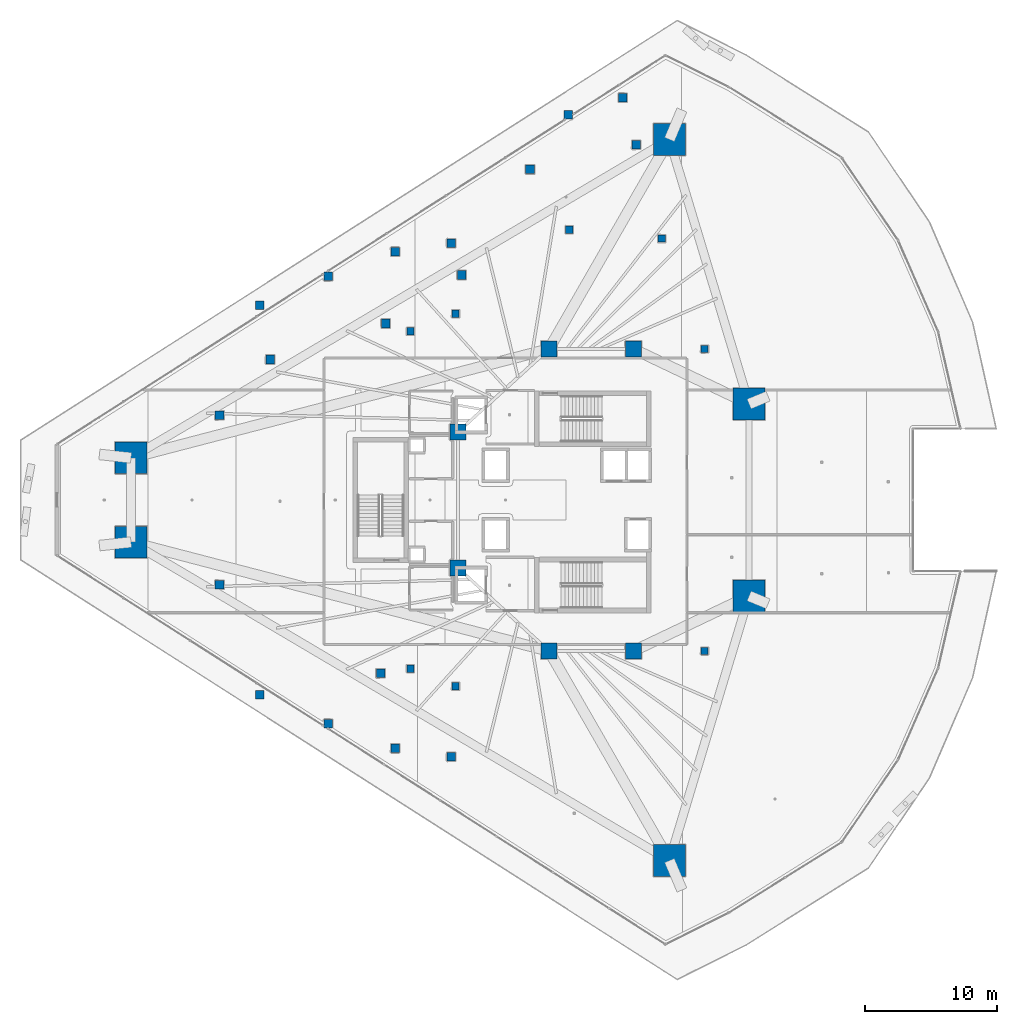
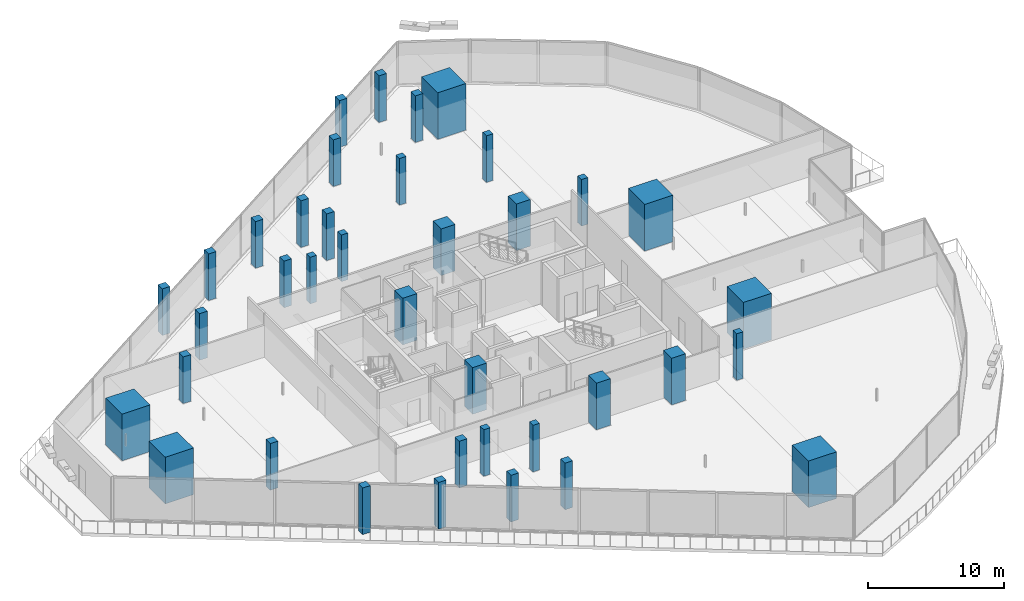
# One storey, part 1 of 42: 38 columns.
"""IFC4 building model written with IfcOpenShell, lengths in metres."""

import ifcopenshell
import ifcopenshell.guid

model = None  # the IFC model being written
_history = None  # IfcOwnerHistory: only IFC2X3 demands one
_inside = {}  # id of a spatial element -> (the spatial element, [elements in it])
_under = {}  # id of a project, library or spatial element -> (it, [spatial elements below it])
_declared = {}  # id of a project -> (the project, [libraries it declares])
_typed = {}  # id of a type object -> (the type object, [elements of that type])
_made_of = {}  # id of a material, layer set ... -> (it, [elements and type objects made of it])


def new_model(schema):
    """Start an empty IFC model of exactly this schema.

    Asked for "IFC4X3", IfcOpenShell would pick the latest addendum, in which some entities
    have other attributes; the version numbers below select the first issue.
    IFC2X3 requires an IfcOwnerHistory on every rooted entity: one is made here for all.
    """
    global model, _history
    if schema == "IFC4X3":
        model = ifcopenshell.file(schema_version=(4, 3, 0, 0))
    else:
        model = ifcopenshell.file(schema=schema)
    _inside.clear()
    _under.clear()
    _declared.clear()
    _typed.clear()
    _made_of.clear()
    _history = None
    if model.schema == "IFC2X3":
        org = make("IfcOrganization", Name="unknown")
        user = make(
            "IfcPersonAndOrganization",
            ThePerson=make("IfcPerson", FamilyName="unknown"),
            TheOrganization=org,
        )
        app = make(
            "IfcApplication",
            ApplicationDeveloper=org,
            Version="unknown",
            ApplicationFullName="unknown",
            ApplicationIdentifier="unknown",
        )
        _history = make(
            "IfcOwnerHistory",
            OwningUser=user,
            OwningApplication=app,
            ChangeAction="ADDED",
            CreationDate=0,
        )
    return model


def make(cls, **values):
    """One entity of the class cls with the attributes given. An attribute that is None is left unset."""
    return model.create_entity(
        cls, **{name: value for name, value in values.items() if value is not None}
    )


def rooted(cls, **values):
    """An entity with a GlobalId (a new one), such as an element, a storey or a relation."""
    return make(cls, GlobalId=ifcopenshell.guid.new(), OwnerHistory=_history, **values)


def si_unit(unit_type, name, prefix=None):
    """IfcSIUnit, for example si_unit("LENGTHUNIT", "METRE", prefix="MILLI")."""
    return make("IfcSIUnit", UnitType=unit_type, Prefix=prefix, Name=name)


def assignment(units):
    """IfcUnitAssignment: the units of a project."""
    return None if units is None else make("IfcUnitAssignment", Units=units)


def point(xyz):
    """IfcCartesianPoint."""
    return None if xyz is None else make("IfcCartesianPoint", Coordinates=xyz)


def direction(xyz):
    """IfcDirection."""
    return None if xyz is None else make("IfcDirection", DirectionRatios=xyz)


def frame(location, z_axis=None, x_axis=None):
    """IfcAxis2Placement3D, a coordinate frame: its origin and axes. An axis left out is left unset."""
    return make(
        "IfcAxis2Placement3D",
        Location=point(location),
        Axis=direction(z_axis),
        RefDirection=direction(x_axis),
    )


def frame_2d(location, x_axis=None):
    """IfcAxis2Placement2D, a coordinate frame in the plane: its origin and x axis."""
    return make(
        "IfcAxis2Placement2D", Location=point(location), RefDirection=direction(x_axis)
    )


def origin():
    """The frame at (0, 0, 0) with its axes left unset."""
    return frame((0.0, 0.0, 0.0))


def origin_2d():
    """The frame at (0, 0) in the plane with its x axis left unset."""
    return frame_2d((0.0, 0.0))


def place(relative_to, where):
    """IfcLocalPlacement: puts the frame where relative to a parent placement (None: the world)."""
    return make(
        "IfcLocalPlacement", PlacementRelTo=relative_to, RelativePlacement=where
    )


def context(
    kind, dimensions, precision=None, world=None, true_north=None, identifier=None
):
    """IfcGeometricRepresentationContext, for example the 3D "Model" context."""
    return make(
        "IfcGeometricRepresentationContext",
        ContextIdentifier=identifier,
        ContextType=kind,
        CoordinateSpaceDimension=dimensions,
        Precision=precision,
        WorldCoordinateSystem=world,
        TrueNorth=true_north,
    )


def subcontext(parent, identifier, kind, view, scale=None):
    """IfcGeometricRepresentationSubContext, for example "Body" below "Model"."""
    return make(
        "IfcGeometricRepresentationSubContext",
        ContextIdentifier=identifier,
        ContextType=kind,
        ParentContext=parent,
        TargetScale=scale,
        TargetView=view,
    )


def project(units=None, contexts=None):
    """IfcProject with its units and contexts."""
    return rooted(
        "IfcProject",
        Name="project",
        RepresentationContexts=contexts,
        UnitsInContext=assignment(units),
    )


def spatial(cls, under=None, at=None, **own):
    """A site, building, storey or space (cls), placed at a placement, below another one or the project."""
    s = rooted(cls, ObjectPlacement=at, **own)
    if under is not None:
        _under.setdefault(under.id(), (under, []))[1].append(s)
    return s


def profile(cls, at=None, kind="AREA", **sizes):
    """A parametric profile (cls). Its sizes go by their IFC names, for example OverallWidth=200.0."""
    return make(cls, ProfileType=kind, Position=at, **sizes)


def rectangle(**sizes):
    """IfcRectangleProfileDef."""
    return profile("IfcRectangleProfileDef", **sizes)


def extrude(swept, where, along, depth):
    """IfcExtrudedAreaSolid: the profile swept, set in the frame where, extruded along a direction by depth."""
    return make(
        "IfcExtrudedAreaSolid",
        SweptArea=swept,
        Position=where,
        ExtrudedDirection=direction(along),
        Depth=depth,
    )


def shape(context_of_items, identifier, shape_type, items):
    """IfcShapeRepresentation: the items that make up one representation, for example the "Body"."""
    return make(
        "IfcShapeRepresentation",
        ContextOfItems=context_of_items,
        RepresentationIdentifier=identifier,
        RepresentationType=shape_type,
        Items=items,
    )


def material(Name=None, Category=None):
    """IfcMaterial."""
    return make("IfcMaterial", Name=Name, Category=Category)


def material_profile(
    of_material, cross_section, Name=None, Category=None, Priority=None
):
    """IfcMaterialProfile: a cross section and its material."""
    return make(
        "IfcMaterialProfile",
        Name=Name,
        Material=of_material,
        Profile=cross_section,
        Priority=Priority,
        Category=Category,
    )


def profile_set(profiles, Name=None, composite=None):
    """IfcMaterialProfileSet."""
    return make(
        "IfcMaterialProfileSet",
        Name=Name,
        MaterialProfiles=profiles,
        CompositeProfile=composite,
    )


def made_of(thing, what):
    """Note that an element or type object is made of a material, layer set ...; save() writes the relation."""
    if what is not None:
        _made_of.setdefault(what.id(), (what, []))[1].append(thing)
    return thing


def type_object(cls, material=None, **own):
    """A type object (cls), such as IfcWallType, which elements share."""
    return made_of(rooted(cls, **own), material)


def element(
    cls,
    number,
    at=None,
    inside=None,
    cuts=None,
    type_object=None,
    material=None,
    context=None,
    identifier="Body",
    shape_type=None,
    held_by="IfcProductDefinitionShape",
    body=None,
    shapes=None,
    **own,
):
    """One element of the class cls, such as IfcWall. Its Tag is "e" and its number.

    at: its placement. inside: the storey or other place that contains it. cuts: it is an
    opening in that element (IfcRelVoidsElement). A single representation is given by context,
    identifier, shape_type and body (its items); several are given by shapes. held_by: the class
    of the entity that holds the representations. save() writes the other relations.
    """
    e = rooted(cls, Tag="e%d" % number, ObjectPlacement=at, **own)
    if body is not None:
        shapes = [shape(context, identifier, shape_type, body)]
    if shapes is not None:
        e.Representation = make(held_by, Representations=shapes)
    if inside is not None:
        _inside.setdefault(inside.id(), (inside, []))[1].append(e)
    if cuts is not None:
        rooted(
            "IfcRelVoidsElement", RelatingBuildingElement=cuts, RelatedOpeningElement=e
        )
    if type_object is not None:
        _typed.setdefault(type_object.id(), (type_object, []))[1].append(e)
    return made_of(e, material)


def aggregate(whole, parts):
    """IfcRelAggregates: a whole, such as a stair, and the parts it consists of."""
    return rooted("IfcRelAggregates", RelatingObject=whole, RelatedObjects=parts)


def save(model, path):
    """Write the relations noted so far, then the file.

    IfcRelAggregates (storeys below a building ...), IfcRelContainedInSpatialStructure (elements
    in a storey), IfcRelDefinesByType, IfcRelAssociatesMaterial and IfcRelDeclares: one each for
    every whole, place, type object, material and project.
    """
    for whole, parts in _under.values():
        aggregate(whole, parts)
    for where, things in _inside.values():
        rooted(
            "IfcRelContainedInSpatialStructure",
            RelatedElements=things,
            RelatingStructure=where,
        )
    for kind, things in _typed.values():
        rooted("IfcRelDefinesByType", RelatedObjects=things, RelatingType=kind)
    for what, things in _made_of.values():
        rooted("IfcRelAssociatesMaterial", RelatedObjects=things, RelatingMaterial=what)
    for by, libraries in _declared.values():
        rooted("IfcRelDeclares", RelatingContext=by, RelatedDefinitions=libraries)
    model.write(path)


model = new_model("IFC4")

# Units and contexts
model_context = context("Model", 3, precision=1e-05, world=origin(), true_north=direction((0.0, 1.0)))
body_context = subcontext(model_context, "Body", "Model", "MODEL_VIEW")
ifc_project = project(units=[si_unit("LENGTHUNIT", "METRE"), si_unit("AREAUNIT", "SQUARE_METRE"), si_unit("VOLUMEUNIT", "CUBIC_METRE"), si_unit("PLANEANGLEUNIT", "RADIAN"), si_unit("MASSUNIT", "GRAM", prefix="KILO")], contexts=[model_context])

# Site, building, storey
site_placement = place(None, origin())
site = spatial("IfcSite", under=ifc_project, at=site_placement, CompositionType="ELEMENT")
building_placement = place(site_placement, origin())
building = spatial("IfcBuilding", under=site, at=building_placement, Name="Qorvath Tower", CompositionType="ELEMENT")
storey_placement = place(building_placement, frame((0.0, 0.0, 32.39990234375)))
storey = spatial("IfcBuildingStorey", under=building, at=storey_placement, Name="L06", CompositionType="ELEMENT", Elevation=32.39990234375)

# Columns
ifc_material_1 = material(Name="Concrete C70/85", Category="concrete")
ifc_material_profile_1 = material_profile(ifc_material_1, rectangle(XDim=2.39990234375, YDim=2.39990234375, at=origin_2d()), Name="MC 2400x2400")
ifc_profile_set_1 = profile_set([ifc_material_profile_1], Name="Concrete C70/85")
column_type_1 = type_object("IfcColumnType", Name="COL-MC1", PredefinedType="COLUMN", material=ifc_profile_set_1)
for number, where, z_axis, x_axis, name in (
    (1, (-55.282958984375, 3.194580078125, 0.0), (0.0, 0.0, 1.0), (1.0, 0.0, 0.0), "Composite Mega-Column MC1 L06"),
    (2, (-55.282958984375, -3.194580078125, 0.0), (0.0, 0.0, 1.0), (1.0, 0.0, 0.0), "Composite Mega-Column MC2 L06"),
    (3, (-14.46435546875, -27.330810546875, 0.0), (0.0, 0.0, 1.0), (1.0, 0.0, 0.0), "Composite Mega-Column MC3 L06"),
    (4, (-8.430419921875, -7.2763671875, 0.0), (0.0, 0.0, 1.0), (1.0, 0.0, 0.0), "Composite Mega-Column MC4 L06"),
    (5, (-8.430419921875, 7.2763671875, 0.0), (0.0, 0.0, 1.0), (1.0, 0.0, 0.0), "Composite Mega-Column MC5 L06"),
    (6, (-14.46435546875, 27.330810546875, 0.0), (0.0, 0.0, 1.0), (1.0, 0.0, 0.0), "Composite Mega-Column MC6 L06"),
):
    element("IfcColumn", number, at=place(storey_placement, frame(where, z_axis=z_axis, x_axis=x_axis)), inside=storey, type_object=column_type_1, Name=name, PredefinedType="COLUMN", context=body_context, shape_type="SweptSolid", body=[
        extrude(rectangle(XDim=2.39990234375, YDim=2.39990234375, at=origin_2d()), origin(), (0.0, 0.0, 1.0), 4.2001953125),
    ])
ifc_material_2 = material(Name="Concrete C60/75", Category="concrete")
ifc_material_profile_2 = material_profile(ifc_material_2, rectangle(XDim=1.199951171875, YDim=1.199951171875, at=origin_2d()), Name="RC 1200x1200")
ifc_profile_set_2 = profile_set([ifc_material_profile_2], Name="Concrete C60/75")
column_type_2 = type_object("IfcColumnType", Name="COL-RC1", PredefinedType="COLUMN", material=ifc_profile_set_2)
for number, where, z_axis, x_axis, name in (
    (7, (-23.60009765625, 11.449951171875, 0.0), (0.0, 0.0, 1.0), (1.0, 0.0, 0.0), "Core Spine Column CC1 L06"),
    (8, (-17.199951171875, 11.449951171875, 0.0), (0.0, 0.0, 1.0), (1.0, 0.0, 0.0), "Core Spine Column CC2 L06"),
    (9, (-17.199951171875, -11.449951171875, 0.0), (0.0, 0.0, 1.0), (1.0, 0.0, 0.0), "Core Spine Column CC3 L06"),
    (10, (-23.60009765625, -11.449951171875, 0.0), (0.0, 0.0, 1.0), (1.0, 0.0, 0.0), "Core Spine Column CC4 L06"),
    (11, (-30.5, 5.14990234375, 0.0), (0.0, 0.0, 1.0), (1.0, 0.0, 0.0), "Core Spine Column CC5 L06"),
    (12, (-30.5, -5.14990234375, 0.0), (0.0, 0.0, 1.0), (1.0, 0.0, 0.0), "Core Spine Column CC6 L06"),
):
    element("IfcColumn", number, at=place(storey_placement, frame(where, z_axis=z_axis, x_axis=x_axis)), inside=storey, type_object=column_type_2, Name=name, PredefinedType="COLUMN", context=body_context, shape_type="SweptSolid", body=[
        extrude(rectangle(XDim=1.199951171875, YDim=1.199951171875, at=origin_2d()), origin(), (0.0, 0.0, 1.0), 4.2001953125),
    ])
ifc_material_3 = material(Name="Concrete C45/55", Category="concrete")
ifc_material_profile_3 = material_profile(ifc_material_3, rectangle(XDim=0.64990234375, YDim=0.64990234375, at=origin_2d()), Name="RC 650x650")
ifc_profile_set_3 = profile_set([ifc_material_profile_3], Name="Concrete C45/55")
column_type_3 = type_object("IfcColumnType", Name="COL-RC6", PredefinedType="COLUMN", material=ifc_profile_set_3)
for number, where, z_axis, x_axis, name in (
    (13, (-45.536376953125, 14.774658203125, 0.0), (0.0, 0.0, 1.0), (1.0, 0.0, 0.0), "Loggia Frame Pier Column LGA1 L06"),
    (14, (-45.536376953125, -14.774658203125, 0.0), (0.0, 0.0, 1.0), (1.0, 0.0, 0.0), "Loggia Frame Pier Column LGA2 L06"),
    (15, (-22.13134765625, 29.20556640625, 0.0), (0.0, 0.0, 1.0), (1.0, 0.0, 0.0), "Loggia Frame Pier Column LGA3 L06"),
    (16, (-40.33251953125, 16.955810546875, 0.0), (0.0, 0.0, 1.0), (1.0, 0.0, 0.0), "Loggia Frame Pier Column LGB1 L06"),
    (17, (-40.33251953125, -16.955810546875, 0.0), (0.0, 0.0, 1.0), (1.0, 0.0, 0.0), "Loggia Frame Pier Column LGB2 L06"),
    (18, (-18.0, 30.5, 0.0), (0.0, 0.0, 1.0), (1.0, 0.0, 0.0), "Loggia Frame Pier Column LGB3 L06"),
    (19, (-35.251708984375, 18.829345703125, 0.0), (0.0, 0.0, 1.0), (1.0, 0.0, 0.0), "Loggia Frame Pier Column LGC1 L06"),
    (20, (-35.251708984375, -18.829345703125, 0.0), (0.0, 0.0, 1.0), (1.0, 0.0, 0.0), "Loggia Frame Pier Column LGC2 L06"),
    (21, (-25.03759765625, 25.058837890625, 0.0), (0.0, 0.0, 1.0), (1.0, 0.0, 0.0), "Loggia Frame Pier Column LGC3 L06"),
    (22, (-31.01611328125, 19.46044921875, 0.0), (0.0, 0.0, 1.0), (1.0, 0.0, 0.0), "Loggia Frame Pier Column LGD1 L06"),
    (23, (-31.01611328125, -19.46044921875, 0.0), (0.0, 0.0, 1.0), (1.0, 0.0, 0.0), "Loggia Frame Pier Column LGD2 L06"),
    (24, (-44.736328125, 10.65234375, 0.0), (0.0, 0.0, 1.0), (1.0, 0.0, 0.0), "Loggia Frame Pier Column LGD3 L06"),
    (25, (-48.578369140625, 6.424560546875, 0.0), (0.0, 0.0, 1.0), (1.0, 0.0, 0.0), "Loggia Frame Pier Column LGE1 L06"),
    (26, (-48.578369140625, -6.424560546875, 0.0), (0.0, 0.0, 1.0), (1.0, 0.0, 0.0), "Loggia Frame Pier Column LGE2 L06"),
    (27, (-16.981201171875, 26.92919921875, 0.0), (0.0, 0.0, 1.0), (1.0, 0.0, 0.0), "Loggia Frame Pier Column LGE3 L06"),
    (28, (-35.980712890625, 13.380859375, 0.0), (0.0, 0.0, 1.0), (1.0, 0.0, 0.0), "Loggia Frame Pier Column LGF1 L06"),
    (29, (-36.36474609375, -13.135498046875, 0.0), (0.0, 0.0, 1.0), (1.0, 0.0, 0.0), "Loggia Frame Pier Column LGF2 L06"),
    (30, (-30.224853515625, 17.0595703125, 0.0), (0.0, 0.0, 1.0), (1.0, 0.0, 0.0), "Loggia Frame Pier Column LGF3 L06"),
):
    element("IfcColumn", number, at=place(storey_placement, frame(where, z_axis=z_axis, x_axis=x_axis)), inside=storey, type_object=column_type_3, Name=name, PredefinedType="COLUMN", context=body_context, shape_type="SweptSolid", body=[
        extrude(rectangle(XDim=0.64990234375, YDim=0.64990234375, at=origin_2d()), origin(), (0.0, 0.0, 1.0), 4.2001953125),
    ])
ifc_material_4 = material(Name="Concrete C45/55", Category="concrete")
ifc_material_profile_4 = material_profile(ifc_material_4, rectangle(XDim=0.550048828125, YDim=0.550048828125, at=origin_2d()), Name="RC 550x550")
ifc_profile_set_4 = profile_set([ifc_material_profile_4], Name="Concrete C45/55")
column_type_4 = type_object("IfcColumnType", Name="COL-RC7", PredefinedType="COLUMN", material=ifc_profile_set_4)
for number, where, z_axis, x_axis, name in (
    (31, (-34.104248046875, 12.79248046875, 0.0), (0.0, 0.0, 1.0), (1.0, 0.0, 0.0), "Loggia Frame Pier Column LGG1 L06"),
    (32, (-34.104248046875, -12.79248046875, 0.0), (0.0, 0.0, 1.0), (1.0, 0.0, 0.0), "Loggia Frame Pier Column LGG2 L06"),
    (33, (-22.05322265625, 20.494873046875, 0.0), (0.0, 0.0, 1.0), (1.0, 0.0, 0.0), "Loggia Frame Pier Column LGG3 L06"),
    (34, (-30.67724609375, 14.124267578125, 0.0), (0.0, 0.0, 1.0), (1.0, 0.0, 0.0), "Loggia Frame Pier Column LGH1 L06"),
    (35, (-30.67724609375, -14.124267578125, 0.0), (0.0, 0.0, 1.0), (1.0, 0.0, 0.0), "Loggia Frame Pier Column LGH2 L06"),
    (36, (-15.046142578125, 19.818115234375, 0.0), (0.0, 0.0, 1.0), (1.0, 0.0, 0.0), "Loggia Frame Pier Column LGH3 L06"),
    (37, (-11.800048828125, -11.449951171875, 0.0), (0.0, 0.0, 1.0), (1.0, 0.0, 0.0), "Central Slot Jamb Column SC1 L06"),
    (38, (-11.800048828125, 11.449951171875, 0.0), (0.0, 0.0, 1.0), (1.0, 0.0, 0.0), "Central Slot Jamb Column SC2 L06"),
):
    element("IfcColumn", number, at=place(storey_placement, frame(where, z_axis=z_axis, x_axis=x_axis)), inside=storey, type_object=column_type_4, Name=name, PredefinedType="COLUMN", context=body_context, shape_type="SweptSolid", body=[
        extrude(rectangle(XDim=0.550048828125, YDim=0.550048828125, at=origin_2d()), origin(), (0.0, 0.0, 1.0), 4.2001953125),
    ])

save(model, "model.ifc")
